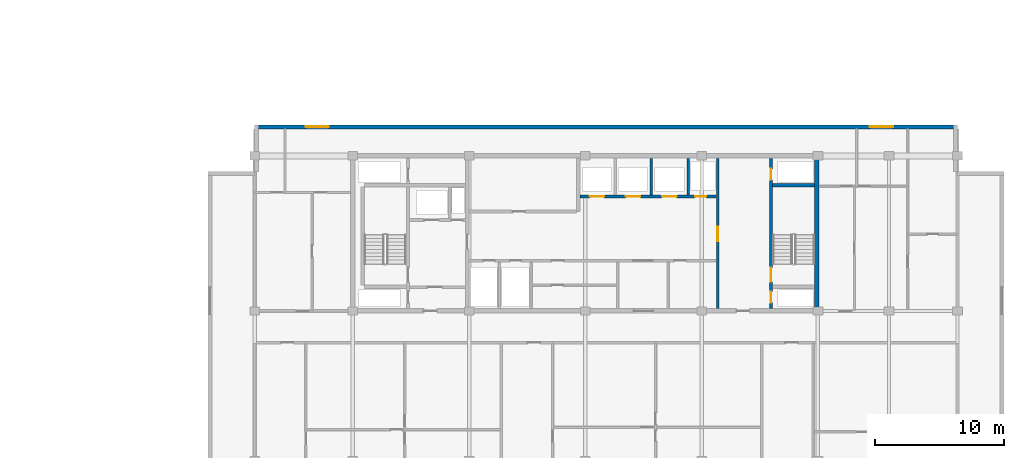
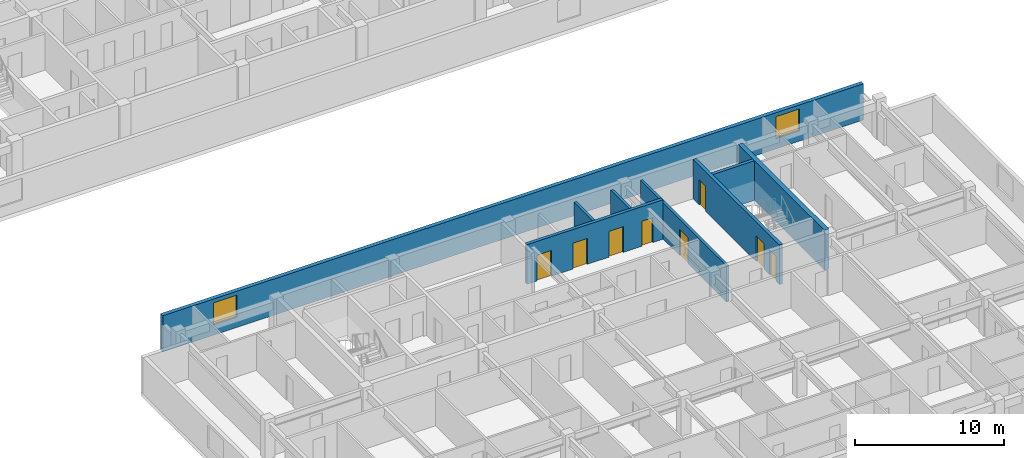
# One storey, part 8 of 23: 8 doors, 8 walls, 2 windows, 10 openings.
"""IFC4 building model written with IfcOpenShell, lengths in metres."""

from ifc_helpers import new_model, si_unit, direction, frame, frame_2d, origin, place, context, subcontext, project, spatial, rectangle, extrude, material, layer, layer_set, type_object, element, fill, save


model = new_model("IFC4")

# Units and contexts
model_context = context("Model", 3, precision=1e-05, world=origin(), true_north=direction((0.0, 1.0)))
body_context = subcontext(model_context, "Body", "Model", "MODEL_VIEW")
ifc_project = project(units=[si_unit("LENGTHUNIT", "METRE"), si_unit("AREAUNIT", "SQUARE_METRE"), si_unit("VOLUMEUNIT", "CUBIC_METRE"), si_unit("PLANEANGLEUNIT", "RADIAN"), si_unit("MASSUNIT", "GRAM", prefix="KILO")], contexts=[model_context])

# Site, building, storey
site_placement = place(None, origin())
site = spatial("IfcSite", under=ifc_project, at=site_placement, CompositionType="ELEMENT")
building_placement = place(site_placement, origin())
building = spatial("IfcBuilding", under=site, at=building_placement, Name="Korimba Cascade Residences", CompositionType="ELEMENT")
storey_placement = place(building_placement, frame((0.0, 0.0, 162.10009765625)))
storey = spatial("IfcBuildingStorey", under=building, at=storey_placement, Name="L46", CompositionType="ELEMENT", Elevation=162.10009765625)

# Wall, openings, windows
ifc_material_1 = material(Name="Precast concrete C40/50", Category="concrete")
ifc_layer_1 = layer(ifc_material_1, 0.300048828125)
ifc_layer_set_1 = layer_set([ifc_layer_1], Name="Precast concrete C40/50")
wall_type_1 = type_object("IfcWallType", Name="EW-STONE-300", PredefinedType="STANDARD", material=ifc_layer_set_1)
wall_1_placement = place(storey_placement, frame((128.89990234375, 32.64990234375, 0.0), z_axis=(0.0, 0.0, 1.0), x_axis=(-1.0, 0.0, 0.0)))
wall_1 = element("IfcWall", 1, at=wall_1_placement, inside=storey, type_object=wall_type_1, Name="L46 T2 Perimeter Stone Wall E06", PredefinedType="STANDARD", context=body_context, shape_type="SweptSolid", body=[
    extrude(rectangle(XDim=54.39990234375, YDim=0.300048828125, at=frame_2d((27.199951171875, 0.0))), origin(), (0.0, 0.0, 1.0), 2.969970703125),
])
opening_1_placement = place(wall_1_placement, frame((48.64990234375, 0.0, 0.85009765625)))
opening_1 = element("IfcOpeningElement", 2, at=opening_1_placement, cuts=wall_1, Name="Opening W-02", PredefinedType="OPENING", context=body_context, shape_type="SweptSolid", body=[
    extrude(rectangle(XDim=1.800048828125, YDim=1.800048828125, at=frame_2d((0.89990234375, 0.89990234375))), frame((0.0, 0.16015625, 0.0), z_axis=(0.0, -1.0, 0.0), x_axis=(1.0, 0.0, 0.0)), (0.0, 0.0, 1.0), 0.320068359375),
])
opening_2_placement = place(wall_1_placement, frame((4.97509765625, 0.0, 0.85009765625)))
opening_2 = element("IfcOpeningElement", 3, at=opening_2_placement, cuts=wall_1, Name="Opening W-02", PredefinedType="OPENING", context=body_context, shape_type="SweptSolid", body=[
    extrude(rectangle(XDim=1.800048828125, YDim=1.800048828125, at=frame_2d((0.89990234375, 0.89990234375))), frame((0.0, 0.16015625, 0.0), z_axis=(0.0, -1.0, 0.0), x_axis=(1.0, 0.0, 0.0)), (0.0, 0.0, 1.0), 0.320068359375),
])
ifc_material_2 = material(Name="Double-Glazed Aluminium Window", Category="aluminium")
window_type = type_object("IfcWindowType", Name="WIN-BED-1800", PartitioningType="SINGLE_PANEL", PredefinedType="WINDOW", material=ifc_material_2)
window_1_placement = place(opening_1_placement, origin())
window_1 = element("IfcWindow", 4, at=window_1_placement, inside=storey, type_object=window_type, Name="L46 T2 North Corner Bedroom Window 1", OverallHeight=1.800048828125, OverallWidth=1.800048828125, PartitioningType="SINGLE_PANEL", PredefinedType="WINDOW", context=body_context, shape_type="SweptSolid", body=[
    extrude(rectangle(XDim=1.800048828125, YDim=1.800048828125, at=frame_2d((0.89990234375, 0.89990234375))), frame((0.0, 0.030029296875, 0.0), z_axis=(0.0, -1.0, 0.0), x_axis=(1.0, 0.0, 0.0)), (0.0, 0.0, 1.0), 0.06005859375),
])
fill(opening_1, window_1)
window_2_placement = place(opening_2_placement, origin())
window_2 = element("IfcWindow", 5, at=window_2_placement, inside=storey, type_object=window_type, Name="L46 T2 North Corner Bedroom Window 2", OverallHeight=1.800048828125, OverallWidth=1.800048828125, PartitioningType="SINGLE_PANEL", PredefinedType="WINDOW", context=body_context, shape_type="SweptSolid", body=[
    extrude(rectangle(XDim=1.800048828125, YDim=1.800048828125, at=frame_2d((0.89990234375, 0.89990234375))), frame((0.0, 0.030029296875, 0.0), z_axis=(0.0, -1.0, 0.0), x_axis=(1.0, 0.0, 0.0)), (0.0, 0.0, 1.0), 0.06005859375),
])
fill(opening_2, window_2)

# Walls
ifc_material_3 = material(Name="Concrete C65/80", Category="concrete")
ifc_layer_2 = layer(ifc_material_3, 0.35009765625)
ifc_layer_set_2 = layer_set([ifc_layer_2], Name="Concrete C65/80")
wall_type_2 = type_object("IfcWallType", Name="WAL-CORE-350", PredefinedType="SHEAR", material=ifc_layer_set_2)
wall_2_placement = place(storey_placement, frame((118.014892578125, 18.574951171875, 0.0), z_axis=(0.0, 0.0, 1.0), x_axis=(0.0, 1.0, 0.0)))
element("IfcWall", 6, at=wall_2_placement, inside=storey, type_object=wall_type_2, Name="L46 Core Shear Wall CW-L46-T2-E", PredefinedType="SHEAR", context=body_context, shape_type="SweptSolid", body=[
    extrude(rectangle(XDim=11.650146484375, YDim=0.35009765625, at=frame_2d((5.8251953125, 0.0))), origin(), (0.0, 0.0, 1.0), 3.25),
])
ifc_material_4 = material(Name="Concrete C40/50", Category="concrete")
ifc_layer_3 = layer(ifc_material_4, 0.199951171875)
ifc_layer_set_3 = layer_set([ifc_layer_3], Name="Concrete C40/50")
wall_type_3 = type_object("IfcWallType", Name="WAL-PART-200", PredefinedType="PARTITIONING", material=ifc_layer_set_3)
for number, where, z_axis, x_axis, name in (
    (7, (105.199951171875, 27.3798828125, 0.0), (0.0, 0.0, 1.0), (0.0, 1.0, 0.0), "L46 Partition Wall CW-L46-T2-B2D2"),
    (8, (108.050048828125, 27.3798828125, 0.0), (0.0, 0.0, 1.0), (0.0, 1.0, 0.0), "L46 Partition Wall CW-L46-T2-B2D3"),
):
    element("IfcWall", number, at=place(storey_placement, frame(where, z_axis=z_axis, x_axis=x_axis)), inside=storey, type_object=wall_type_3, Name=name, PredefinedType="PARTITIONING", context=body_context, shape_type="SweptSolid", body=[
        extrude(rectangle(XDim=2.820068359375, YDim=0.199951171875, at=frame_2d((1.41015625, 0.0))), origin(), (0.0, 0.0, 1.0), 2.969970703125),
    ])

# Wall, opening, door
wall_3_placement = place(storey_placement, frame((110.35009765625, 18.60009765625, 0.0), z_axis=(0.0, 0.0, 1.0), x_axis=(0.0, 1.0, 0.0)))
wall_3 = element("IfcWall", 9, at=wall_3_placement, inside=storey, type_object=wall_type_3, Name="L46 Partition Wall CW-L46-T2-LLEV", PredefinedType="PARTITIONING", context=body_context, shape_type="SweptSolid", body=[
    extrude(rectangle(XDim=11.599853515625, YDim=0.199951171875, at=frame_2d((5.7998046875, 0.0))), origin(), (0.0, 0.0, 1.0), 2.969970703125),
])
opening_3_placement = place(wall_3_placement, frame((5.199951171875, 0.0, 0.0)))
opening_3 = element("IfcOpeningElement", 10, at=opening_3_placement, cuts=wall_3, Name="Opening D-FD6", PredefinedType="OPENING", context=body_context, shape_type="SweptSolid", body=[
    extrude(rectangle(XDim=1.10009765625, YDim=2.14990234375, at=frame_2d((0.550048828125, 1.074951171875))), frame((0.0, 0.10986328125, 0.0), z_axis=(0.0, -1.0, 0.0), x_axis=(1.0, 0.0, 0.0)), (0.0, 0.0, 1.0), 0.219970703125),
])
ifc_material_5 = material(Name="Fire-Rated Timber Stair Lobby Door", Category="wood")
door_type_1 = type_object("IfcDoorType", Name="DR-FD90-1100", OperationType="NOTDEFINED", PredefinedType="DOOR", material=ifc_material_5)
door_1_placement = place(opening_3_placement, origin())
door_1 = element("IfcDoor", 11, at=door_1_placement, inside=storey, type_object=door_type_1, Name="L46 T2 Lift Lobby to East Stair Lobby Door", OperationType="SINGLE_SWING_RIGHT", OverallHeight=2.14990234375, OverallWidth=1.10009765625, PredefinedType="DOOR", context=body_context, shape_type="SweptSolid", body=[
    extrude(rectangle(XDim=1.10009765625, YDim=2.14990234375, at=frame_2d((0.550048828125, 1.074951171875))), frame((0.0, 0.02490234375, 0.0), z_axis=(0.0, -1.0, 0.0), x_axis=(1.0, 0.0, 0.0)), (0.0, 0.0, 1.0), 0.050048828125),
])
fill(opening_3, door_1)

# Wall, openings, doors
ifc_material_6 = material(Name="Concrete C50/60", Category="concrete")
ifc_layer_4 = layer(ifc_material_6, 0.25)
ifc_layer_set_4 = layer_set([ifc_layer_4], Name="Concrete C50/60")
wall_type_4 = type_object("IfcWallType", Name="WAL-SHAFT-250", PredefinedType="SHEAR", material=ifc_layer_set_4)
wall_4_placement = place(storey_placement, frame((99.679931640625, 27.25, 0.0), z_axis=(0.0, 0.0, 1.0), x_axis=(1.0, 0.0, 0.0)))
wall_4 = element("IfcWall", 12, at=wall_4_placement, inside=storey, type_object=wall_type_4, Name="L46 Core Shear Wall CW-L46-T2-B2S", PredefinedType="SHEAR", context=body_context, shape_type="SweptSolid", body=[
    extrude(rectangle(XDim=10.5400390625, YDim=0.25, at=frame_2d((5.27001953125, 0.0))), origin(), (0.0, 0.0, 1.0), 3.25),
])
opening_4_placement = place(wall_4_placement, frame((0.760009765625, 0.0, 0.0)))
opening_4 = element("IfcOpeningElement", 13, at=opening_4_placement, cuts=wall_4, Name="Opening LD-01", PredefinedType="OPENING", context=body_context, shape_type="SweptSolid", body=[
    extrude(rectangle(XDim=1.1201171875, YDim=2.1201171875, at=frame_2d((0.56005859375, 1.06005859375))), frame((0.0, 0.135009765625, 0.0), z_axis=(0.0, -1.0, 0.0), x_axis=(1.0, 0.0, 0.0)), (0.0, 0.0, 1.0), 0.27001953125),
])
opening_5_placement = place(wall_4_placement, frame((3.56005859375, 0.0, 0.0)))
opening_5 = element("IfcOpeningElement", 14, at=opening_5_placement, cuts=wall_4, Name="Opening LD-01", PredefinedType="OPENING", context=body_context, shape_type="SweptSolid", body=[
    extrude(rectangle(XDim=1.1201171875, YDim=2.1201171875, at=frame_2d((0.56005859375, 1.06005859375))), frame((0.0, 0.135009765625, 0.0), z_axis=(0.0, -1.0, 0.0), x_axis=(1.0, 0.0, 0.0)), (0.0, 0.0, 1.0), 0.27001953125),
])
opening_6_placement = place(wall_4_placement, frame((6.360107421875, 0.0, 0.0)))
opening_6 = element("IfcOpeningElement", 15, at=opening_6_placement, cuts=wall_4, Name="Opening LD-01", PredefinedType="OPENING", context=body_context, shape_type="SweptSolid", body=[
    extrude(rectangle(XDim=1.1201171875, YDim=2.1201171875, at=frame_2d((0.56005859375, 1.06005859375))), frame((0.0, 0.135009765625, 0.0), z_axis=(0.0, -1.0, 0.0), x_axis=(1.0, 0.0, 0.0)), (0.0, 0.0, 1.0), 0.27001953125),
])
opening_7_placement = place(wall_4_placement, frame((8.919921875, 0.0, 0.0)))
opening_7 = element("IfcOpeningElement", 16, at=opening_7_placement, cuts=wall_4, Name="Opening D-RS1", PredefinedType="OPENING", context=body_context, shape_type="SweptSolid", body=[
    extrude(rectangle(XDim=0.85009765625, YDim=2.050048828125, at=frame_2d((0.425048828125, 1.02490234375))), frame((0.0, 0.135009765625, 0.0), z_axis=(0.0, -1.0, 0.0), x_axis=(1.0, 0.0, 0.0)), (0.0, 0.0, 1.0), 0.27001953125),
])
ifc_material_7 = material(Name="Fire-Rated Steel Riser Access Door", Category="steel")
door_type_2 = type_object("IfcDoorType", Name="DR-FD60-850", OperationType="NOTDEFINED", PredefinedType="DOOR", material=ifc_material_7)
door_2_placement = place(opening_7_placement, origin())
door_2 = element("IfcDoor", 17, at=door_2_placement, inside=storey, type_object=door_type_2, Name="L46 T2 Duct Door", OperationType="SINGLE_SWING_RIGHT", OverallHeight=2.050048828125, OverallWidth=0.85009765625, PredefinedType="DOOR", context=body_context, shape_type="SweptSolid", body=[
    extrude(rectangle(XDim=0.85009765625, YDim=2.050048828125, at=frame_2d((0.425048828125, 1.02490234375))), frame((0.0, 0.02490234375, 0.0), z_axis=(0.0, -1.0, 0.0), x_axis=(1.0, 0.0, 0.0)), (0.0, 0.0, 1.0), 0.050048828125),
])
fill(opening_7, door_2)
ifc_material_8 = material(Name="Stainless Steel Lift Landing Sliding Door", Category="steel")
door_type_3 = type_object("IfcDoorType", Name="DR-LIFT-1100", OperationType="NOTDEFINED", PredefinedType="DOOR", material=ifc_material_8)
door_3_placement = place(opening_4_placement, origin())
door_3 = element("IfcDoor", 18, at=door_3_placement, inside=storey, type_object=door_type_3, Name="L46 Lift Landing Door PL-E4", OperationType="SLIDING_TO_RIGHT", OverallHeight=2.1201171875, OverallWidth=1.1201171875, PredefinedType="DOOR", context=body_context, shape_type="SweptSolid", body=[
    extrude(rectangle(XDim=1.1201171875, YDim=2.1201171875, at=frame_2d((0.56005859375, 1.06005859375))), frame((0.0, 0.02490234375, 0.0), z_axis=(0.0, -1.0, 0.0), x_axis=(1.0, 0.0, 0.0)), (0.0, 0.0, 1.0), 0.050048828125),
])
fill(opening_4, door_3)
door_4_placement = place(opening_5_placement, origin())
door_4 = element("IfcDoor", 19, at=door_4_placement, inside=storey, type_object=door_type_3, Name="L46 Lift Landing Door PL-E5", OperationType="SLIDING_TO_RIGHT", OverallHeight=2.1201171875, OverallWidth=1.1201171875, PredefinedType="DOOR", context=body_context, shape_type="SweptSolid", body=[
    extrude(rectangle(XDim=1.1201171875, YDim=2.1201171875, at=frame_2d((0.56005859375, 1.06005859375))), frame((0.0, 0.02490234375, 0.0), z_axis=(0.0, -1.0, 0.0), x_axis=(1.0, 0.0, 0.0)), (0.0, 0.0, 1.0), 0.050048828125),
])
fill(opening_5, door_4)
door_5_placement = place(opening_6_placement, origin())
door_5 = element("IfcDoor", 20, at=door_5_placement, inside=storey, type_object=door_type_3, Name="L46 Lift Landing Door PL-E6", OperationType="SLIDING_TO_RIGHT", OverallHeight=2.1201171875, OverallWidth=1.1201171875, PredefinedType="DOOR", context=body_context, shape_type="SweptSolid", body=[
    extrude(rectangle(XDim=1.1201171875, YDim=2.1201171875, at=frame_2d((0.56005859375, 1.06005859375))), frame((0.0, 0.02490234375, 0.0), z_axis=(0.0, -1.0, 0.0), x_axis=(1.0, 0.0, 0.0)), (0.0, 0.0, 1.0), 0.050048828125),
])
fill(opening_6, door_5)

wall_5_placement = place(storey_placement, frame((114.47509765625, 18.60009765625, 0.0), z_axis=(0.0, 0.0, 1.0), x_axis=(0.0, 1.0, 0.0)))
wall_5 = element("IfcWall", 21, at=wall_5_placement, inside=storey, type_object=wall_type_4, Name="L46 Core Shear Wall CW-L46-T2-STE2W", PredefinedType="SHEAR", context=body_context, shape_type="SweptSolid", body=[
    extrude(rectangle(XDim=11.599853515625, YDim=0.25, at=frame_2d((5.7998046875, 0.0))), origin(), (0.0, 0.0, 1.0), 3.25),
])
opening_8_placement = place(wall_5_placement, frame((0.449951171875, 0.0, 0.0)))
opening_8 = element("IfcOpeningElement", 22, at=opening_8_placement, cuts=wall_5, Name="Opening D-RS1", PredefinedType="OPENING", context=body_context, shape_type="SweptSolid", body=[
    extrude(rectangle(XDim=0.85009765625, YDim=2.050048828125, at=frame_2d((0.425048828125, 1.02490234375))), frame((0.0, 0.135009765625, 0.0), z_axis=(0.0, -1.0, 0.0), x_axis=(1.0, 0.0, 0.0)), (0.0, 0.0, 1.0), 0.27001953125),
])
opening_9_placement = place(wall_5_placement, frame((2.050048828125, 0.0, 0.0)))
opening_9 = element("IfcOpeningElement", 23, at=opening_9_placement, cuts=wall_5, Name="Opening D-FD1", PredefinedType="OPENING", context=body_context, shape_type="SweptSolid", body=[
    extrude(rectangle(XDim=1.10009765625, YDim=2.10009765625, at=frame_2d((0.550048828125, 1.050048828125))), frame((0.0, 0.135009765625, 0.0), z_axis=(0.0, -1.0, 0.0), x_axis=(1.0, 0.0, 0.0)), (0.0, 0.0, 1.0), 0.27001953125),
])
opening_10_placement = place(wall_5_placement, frame((9.949951171875, 0.0, 0.0)))
opening_10 = element("IfcOpeningElement", 24, at=opening_10_placement, cuts=wall_5, Name="Opening D-RS1", PredefinedType="OPENING", context=body_context, shape_type="SweptSolid", body=[
    extrude(rectangle(XDim=0.85009765625, YDim=2.050048828125, at=frame_2d((0.425048828125, 1.02490234375))), frame((0.0, 0.135009765625, 0.0), z_axis=(0.0, -1.0, 0.0), x_axis=(1.0, 0.0, 0.0)), (0.0, 0.0, 1.0), 0.27001953125),
])
ifc_material_9 = material(Name="Fire-Rated Steel Core Door", Category="steel")
door_type_4 = type_object("IfcDoorType", Name="DR-FD120-1100", OperationType="NOTDEFINED", PredefinedType="DOOR", material=ifc_material_9)
door_6_placement = place(opening_9_placement, origin())
door_6 = element("IfcDoor", 25, at=door_6_placement, inside=storey, type_object=door_type_4, Name="L46 Fire Stair ST-E2 Door", OperationType="SINGLE_SWING_RIGHT", OverallHeight=2.10009765625, OverallWidth=1.10009765625, PredefinedType="DOOR", context=body_context, shape_type="SweptSolid", body=[
    extrude(rectangle(XDim=1.10009765625, YDim=2.10009765625, at=frame_2d((0.550048828125, 1.050048828125))), frame((0.0, 0.02490234375, 0.0), z_axis=(0.0, -1.0, 0.0), x_axis=(1.0, 0.0, 0.0)), (0.0, 0.0, 1.0), 0.050048828125),
])
fill(opening_9, door_6)
door_7_placement = place(opening_8_placement, origin())
door_7 = element("IfcDoor", 26, at=door_7_placement, inside=storey, type_object=door_type_2, Name="L46 T2 East Hydrant Door", OperationType="SINGLE_SWING_LEFT", OverallHeight=2.050048828125, OverallWidth=0.85009765625, PredefinedType="DOOR", context=body_context, shape_type="SweptSolid", body=[
    extrude(rectangle(XDim=0.85009765625, YDim=2.050048828125, at=frame_2d((0.425048828125, 1.02490234375))), frame((0.0, 0.02490234375, 0.0), z_axis=(0.0, -1.0, 0.0), x_axis=(1.0, 0.0, 0.0)), (0.0, 0.0, 1.0), 0.050048828125),
])
fill(opening_8, door_7)
door_8_placement = place(opening_10_placement, origin())
door_8 = element("IfcDoor", 27, at=door_8_placement, inside=storey, type_object=door_type_2, Name="L46 T2 East Riser Door", OperationType="SINGLE_SWING_LEFT", OverallHeight=2.050048828125, OverallWidth=0.85009765625, PredefinedType="DOOR", context=body_context, shape_type="SweptSolid", body=[
    extrude(rectangle(XDim=0.85009765625, YDim=2.050048828125, at=frame_2d((0.425048828125, 1.02490234375))), frame((0.0, 0.02490234375, 0.0), z_axis=(0.0, -1.0, 0.0), x_axis=(1.0, 0.0, 0.0)), (0.0, 0.0, 1.0), 0.050048828125),
])
fill(opening_10, door_8)

# Wall
wall_6_placement = place(storey_placement, frame((114.60009765625, 28.125, 0.0), z_axis=(0.0, 0.0, 1.0), x_axis=(1.0, 0.0, 0.0)))
element("IfcWall", 28, at=wall_6_placement, inside=storey, type_object=wall_type_4, Name="L46 Core Shear Wall CW-L46-T2-STE2N", PredefinedType="SHEAR", context=body_context, shape_type="SweptSolid", body=[
    extrude(rectangle(XDim=3.239990234375, YDim=0.25, at=frame_2d((1.6201171875, 0.0))), origin(), (0.0, 0.0, 1.0), 3.25),
])

save(model, "model.ifc")
